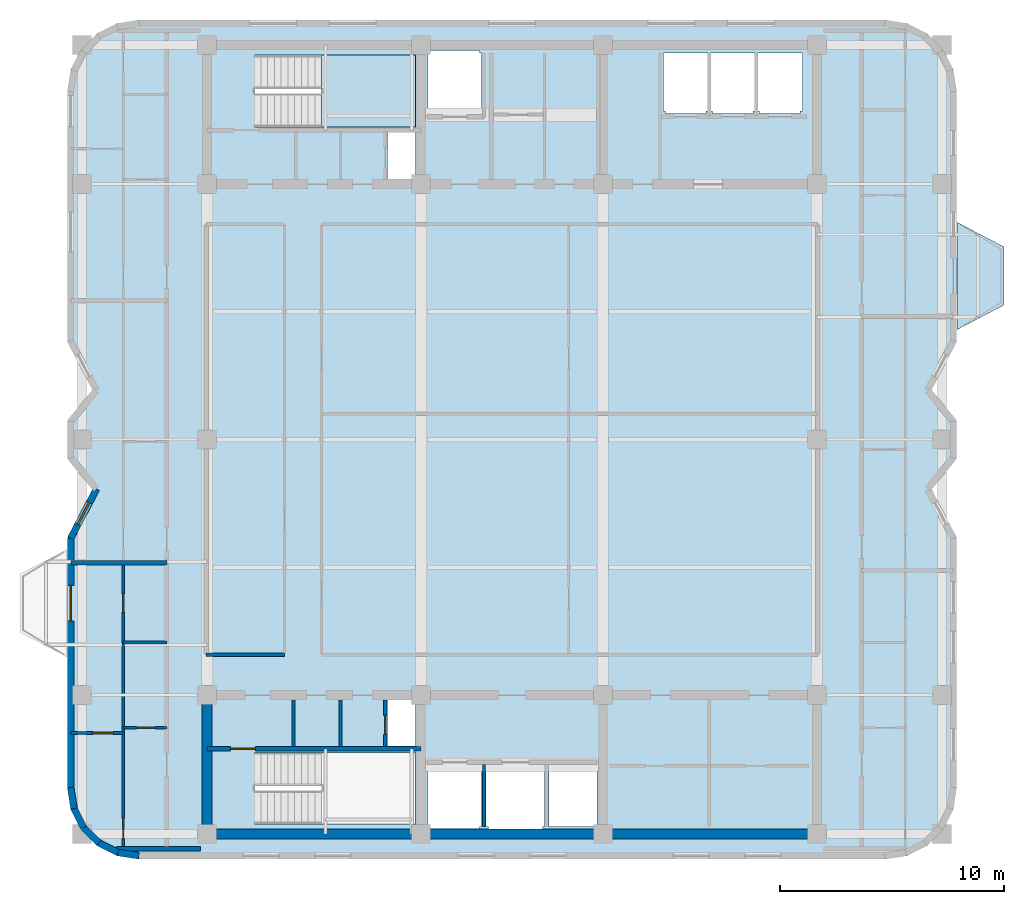
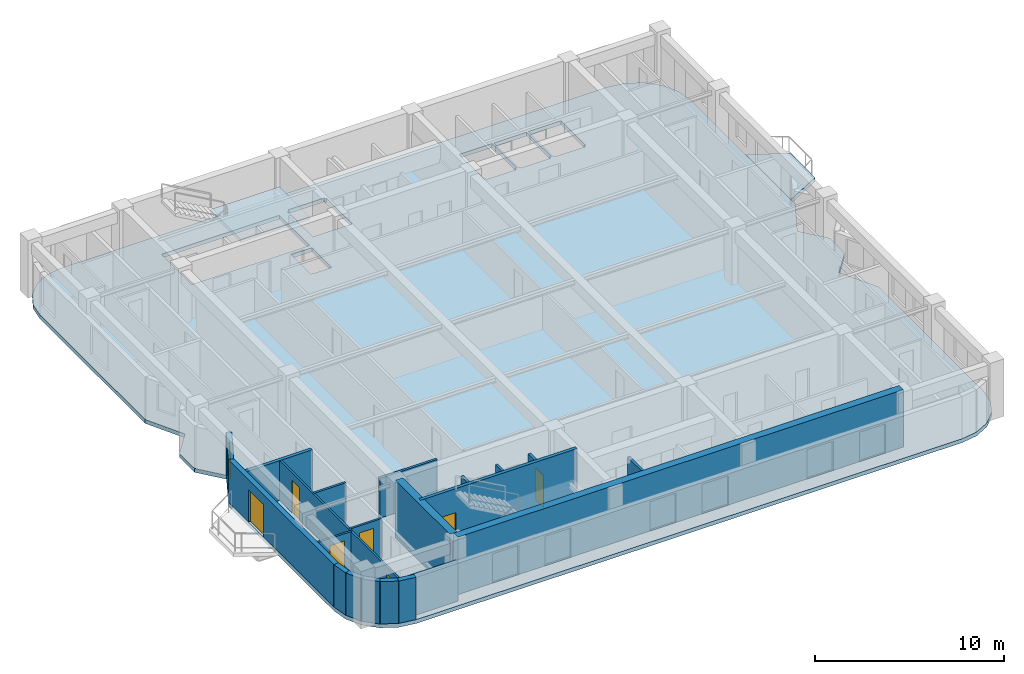
# One storey, part 2 of 9: 21 walls, 7 doors, 3 slabs, 1 window, 8 openings, 1 element without a shape of its own.
"""IFC4 building model written with IfcOpenShell, lengths in metres."""

from ifc_helpers import new_model, si_unit, direction, frame, frame_2d, origin, place, context, subcontext, project, spatial, polyline, rectangle, outline, extrude, material, layer, layer_set, type_object, element, fill, aggregate, save


model = new_model("IFC4")

# Units and contexts
model_context = context("Model", 3, precision=1e-05, world=origin(), true_north=direction((0.0, 1.0)))
body_context = subcontext(model_context, "Body", "Model", "MODEL_VIEW")
ifc_project = project(units=[si_unit("LENGTHUNIT", "METRE"), si_unit("AREAUNIT", "SQUARE_METRE"), si_unit("VOLUMEUNIT", "CUBIC_METRE"), si_unit("PLANEANGLEUNIT", "RADIAN"), si_unit("MASSUNIT", "GRAM", prefix="KILO")], contexts=[model_context])

# Site, building, storey
site_placement = place(None, origin())
site = spatial("IfcSite", under=ifc_project, at=site_placement, CompositionType="ELEMENT")
building_placement = place(site_placement, origin())
building = spatial("IfcBuilding", under=site, at=building_placement, Name="Svetorya Sky Lyceum", CompositionType="ELEMENT")
storey_placement = place(building_placement, frame((0.0, 0.0, 244.300048828125)))
storey = spatial("IfcBuildingStorey", under=building, at=storey_placement, Name="L61", CompositionType="ELEMENT", Elevation=244.300048828125)

# Slab
ifc_material_1 = material(Name="Concrete C40/50", Category="concrete")
ifc_layer_1 = layer(ifc_material_1, 0.25)
ifc_layer_set_1 = layer_set([ifc_layer_1], Name="Concrete C40/50")
slab_type_1 = type_object("IfcSlabType", Name="SL-BAL-250", PredefinedType="FLOOR", material=ifc_layer_set_1)
slab_1_placement = place(storey_placement, frame((0.0, 0.0, -0.25)))
element("IfcSlab", 1, at=slab_1_placement, inside=storey, type_object=slab_type_1, Name="L61 Chamfered Loggia Balcony BAL-E1", PredefinedType="FLOOR", context=body_context, shape_type="SweptSolid", body=[
    extrude(outline(polyline([(59.050048828125, 33.10009765625), (61.14990234375, 34.199951171875), (61.14990234375, 36.800048828125), (59.050048828125, 37.89990234375), (59.050048828125, 33.10009765625)])), origin(), (0.0, 0.0, 1.0), 0.25),
])

# Stair, slab
stair_type = type_object("IfcStairType", Name="STR-ST-N", PredefinedType="HALF_TURN_STAIR", material=ifc_material_1)
stair_placement = place(storey_placement, origin())
stair = element("IfcStair", 2, at=stair_placement, inside=storey, type_object=stair_type, Name="L61 North Core Smoke-Free Exit Stair N3", PredefinedType="HALF_TURN_STAIR")
ifc_layer_2 = layer(ifc_material_1, 0.199951171875)
ifc_layer_set_2 = layer_set([ifc_layer_2], Name="Concrete C40/50")
slab_type_2 = type_object("IfcSlabType", Name="SL-STR-LAND-200", PredefinedType="LANDING", material=ifc_layer_set_2)
slab_2_placement = place(storey_placement, frame((0.0, 0.0, 1.64990234375)))
slab_2 = element("IfcSlab", 3, at=slab_2_placement, type_object=slab_type_2, Name="ST-N landing 1", PredefinedType="LANDING", context=body_context, shape_type="SweptSolid", body=[
    extrude(outline(polyline([(30.699951171875, 42.14990234375), (34.89990234375, 42.14990234375), (34.89990234375, 45.35009765625), (30.699951171875, 45.35009765625), (30.699951171875, 42.14990234375)])), origin(), (0.0, 0.0, 1.0), 0.199951171875),
])
aggregate(stair, [slab_2])

# Slab
ifc_layer_3 = layer(ifc_material_1, 0.25)
ifc_layer_set_3 = layer_set([ifc_layer_3], Name="Concrete C40/50")
slab_type_3 = type_object("IfcSlabType", Name="SL-TWR-250", PredefinedType="FLOOR", material=ifc_layer_set_3)
slab_3_placement = place(storey_placement, frame((0.0, 0.0, -0.25)))
element("IfcSlab", 4, at=slab_3_placement, inside=storey, type_object=slab_type_3, Name="L61 Structural Floor Slab", PredefinedType="FLOOR", context=body_context, shape_type="SweptSolid", body=[
    extrude(outline(polyline([(19.360107421875, 12.679931640625), (19.5166015625, 11.691162109375), (19.97119140625, 10.799072265625), (20.67919921875, 10.091064453125), (21.571044921875, 9.63671875), (22.56005859375, 9.47998046875), (55.840087890625, 9.47998046875), (56.828857421875, 9.63671875), (57.720947265625, 10.091064453125), (58.428955078125, 10.799072265625), (58.88330078125, 11.691162109375), (59.0400390625, 12.679931640625), (59.0400390625, 23.800048828125), (57.889892578125, 26.0), (59.0400390625, 27.39990234375), (59.0400390625, 29.0), (57.889892578125, 30.39990234375), (59.0400390625, 32.60009765625), (59.0400390625, 43.719970703125), (58.88330078125, 44.708984375), (58.428955078125, 45.600830078125), (57.720947265625, 46.308837890625), (56.828857421875, 46.763427734375), (55.840087890625, 46.919921875), (22.56005859375, 46.919921875), (21.571044921875, 46.763427734375), (20.67919921875, 46.308837890625), (19.97119140625, 45.600830078125), (19.5166015625, 44.708984375), (19.360107421875, 43.719970703125), (19.360107421875, 32.60009765625), (20.510009765625, 30.39990234375), (19.360107421875, 29.0), (19.360107421875, 27.39990234375), (20.510009765625, 26.0), (19.360107421875, 23.800048828125), (19.360107421875, 12.679931640625)]), holes=[polyline([(37.85009765625, 10.949951171875), (37.75, 10.949951171875), (37.75, 10.85009765625), (35.550048828125, 10.85009765625), (35.550048828125, 10.949951171875), (35.449951171875, 10.949951171875), (35.449951171875, 13.64990234375), (35.550048828125, 13.64990234375), (37.75, 13.64990234375), (37.85009765625, 13.64990234375), (37.85009765625, 10.949951171875)]), polyline([(38.14990234375, 10.800048828125), (38.14990234375, 10.949951171875), (38.050048828125, 10.949951171875), (38.050048828125, 13.64990234375), (38.14990234375, 13.64990234375), (38.14990234375, 13.699951171875), (40.550048828125, 13.699951171875), (40.550048828125, 13.64990234375), (40.64990234375, 13.64990234375), (40.64990234375, 10.949951171875), (40.550048828125, 10.949951171875), (40.550048828125, 10.800048828125), (38.14990234375, 10.800048828125)]), polyline([(27.719970703125, 11.050048828125), (27.719970703125, 14.25), (34.89990234375, 14.25), (34.89990234375, 11.050048828125), (27.719970703125, 11.050048828125)]), polyline([(33.64990234375, 14.52001953125), (33.64990234375, 16.580078125), (34.89990234375, 16.580078125), (34.89990234375, 14.52001953125), (33.64990234375, 14.52001953125)]), polyline([(33.64990234375, 39.820068359375), (33.64990234375, 41.89990234375), (34.89990234375, 41.89990234375), (34.89990234375, 39.820068359375), (33.64990234375, 39.820068359375)]), polyline([(27.719970703125, 42.14990234375), (27.719970703125, 45.35009765625), (34.89990234375, 45.35009765625), (34.89990234375, 42.14990234375), (27.719970703125, 42.14990234375)]), polyline([(37.75, 42.75), (35.550048828125, 42.75), (35.449951171875, 42.75), (35.449951171875, 45.449951171875), (35.550048828125, 45.449951171875), (35.550048828125, 45.550048828125), (37.75, 45.550048828125), (37.75, 45.449951171875), (37.85009765625, 45.449951171875), (37.85009765625, 42.75), (37.75, 42.75)]), polyline([(40.85009765625, 10.949951171875), (40.85009765625, 13.64990234375), (43.0, 13.64990234375), (43.0, 10.949951171875), (40.85009765625, 10.949951171875)]), polyline([(46.050048828125, 42.75), (46.050048828125, 42.85009765625), (45.949951171875, 42.85009765625), (45.949951171875, 45.449951171875), (46.050048828125, 45.449951171875), (47.85009765625, 45.449951171875), (47.949951171875, 45.449951171875), (47.949951171875, 42.85009765625), (47.85009765625, 42.85009765625), (47.85009765625, 42.75), (46.050048828125, 42.75)]), polyline([(50.050048828125, 42.85009765625), (49.949951171875, 42.85009765625), (49.949951171875, 42.75), (48.14990234375, 42.75), (48.14990234375, 42.85009765625), (48.050048828125, 42.85009765625), (48.050048828125, 45.449951171875), (48.14990234375, 45.449951171875), (49.949951171875, 45.449951171875), (50.050048828125, 45.449951171875), (50.050048828125, 42.85009765625)]), polyline([(52.14990234375, 42.85009765625), (52.050048828125, 42.85009765625), (52.050048828125, 42.75), (50.25, 42.75), (50.25, 42.85009765625), (50.14990234375, 42.85009765625), (50.14990234375, 45.449951171875), (50.25, 45.449951171875), (52.050048828125, 45.449951171875), (52.14990234375, 45.449951171875), (52.14990234375, 42.85009765625)])]), origin(), (0.0, 0.0, 1.0), 0.25),
])

# Walls
ifc_material_2 = material(Name="Concrete C50/60", Category="concrete")
ifc_layer_4 = layer(ifc_material_2, 0.449951171875)
ifc_layer_set_4 = layer_set([ifc_layer_4], Name="Concrete C50/60")
wall_type_1 = type_object("IfcWallType", Name="WL-CORE-450", PredefinedType="SHEAR", material=ifc_layer_set_4)
wall_1_placement = place(storey_placement, frame((52.800048828125, 10.60009765625, 0.0), z_axis=(0.0, 0.0, 1.0), x_axis=(-1.0, 0.0, 0.0)))
element("IfcWall", 5, at=wall_1_placement, inside=storey, type_object=wall_type_1, Name="L61 SC Outer Core Shear Wall", PredefinedType="SHEAR", context=body_context, shape_type="SweptSolid", body=[
    extrude(rectangle(XDim=27.199951171875, YDim=0.449951171875, at=frame_2d((13.60009765625, 0.0))), origin(), (0.0, 0.0, 1.0), 3.699951171875),
])
wall_2_placement = place(storey_placement, frame((25.60009765625, 10.824951171875, 0.0), z_axis=(0.0, 0.0, 1.0), x_axis=(0.0, 1.0, 0.0)))
element("IfcWall", 6, at=wall_2_placement, inside=storey, type_object=wall_type_1, Name="L61 SC West Core Shear Wall", PredefinedType="SHEAR", context=body_context, shape_type="SweptSolid", body=[
    extrude(rectangle(XDim=5.75, YDim=0.449951171875, at=frame_2d((2.875, 0.0))), origin(), (0.0, 0.0, 1.0), 3.699951171875),
])
ifc_material_3 = material(Name="Putilovo limestone rainscreen on autoclaved cellular masonry", Category="masonry")
ifc_layer_5 = layer(ifc_material_3, 0.300048828125)
ifc_layer_set_5 = layer_set([ifc_layer_5], Name="Putilovo limestone rainscreen on autoclaved cellular masonry")
wall_type_2 = type_object("IfcWallType", Name="WL-EXT-300", PredefinedType="SOLIDWALL", material=ifc_layer_set_5)
wall_3_placement = place(storey_placement, frame((19.510009765625, 12.679931640625, 0.0), z_axis=(0.0, 0.0, 1.0), x_axis=(0.156343617883, -0.987702725088, 0.0)))
element("IfcWall", 7, at=wall_3_placement, inside=storey, type_object=wall_type_2, Name="L61 Limestone Exterior Wall 1M", PredefinedType="SOLIDWALL", context=body_context, shape_type="SweptSolid", body=[
    extrude(rectangle(XDim=0.9541015625, YDim=0.300048828125, at=frame_2d((0.47705078125, 0.0))), origin(), (0.0, 0.0, 1.0), 2.72998046875),
])
for number, where, z_axis, x_axis, name in (
    (8, (19.6591796875, 11.737548828125, 0.0), (0.0, 0.0, 1.0), (0.454056065666, -0.890973113642, 0.0), "L61 Limestone Exterior Wall 2M"),
    (9, (20.092529296875, 10.88720703125, 0.0), (0.0, 0.0, 1.0), (0.707106781187, -0.707106781187, 0.0), "L61 Limestone Exterior Wall 3M"),
):
    element("IfcWall", number, at=place(storey_placement, frame(where, z_axis=z_axis, x_axis=x_axis)), inside=storey, type_object=wall_type_2, Name=name, PredefinedType="SOLIDWALL", context=body_context, shape_type="SweptSolid", body=[
        extrude(rectangle(XDim=0.954345703125, YDim=0.300048828125, at=frame_2d((0.47705078125, 0.0))), origin(), (0.0, 0.0, 1.0), 2.72998046875),
    ])
wall_4_placement = place(storey_placement, frame((20.767333984375, 10.21240234375, 0.0), z_axis=(0.0, 0.0, 1.0), x_axis=(0.891023873617, -0.45395644796, 0.0)))
element("IfcWall", 10, at=wall_4_placement, inside=storey, type_object=wall_type_2, Name="L61 Limestone Exterior Wall 4M", PredefinedType="SOLIDWALL", context=body_context, shape_type="SweptSolid", body=[
    extrude(rectangle(XDim=0.9541015625, YDim=0.300048828125, at=frame_2d((0.47705078125, 0.0))), origin(), (0.0, 0.0, 1.0), 2.72998046875),
])
wall_5_placement = place(storey_placement, frame((21.617431640625, 9.779296875, 0.0), z_axis=(0.0, 0.0, 1.0), x_axis=(0.987669453596, -0.156553666304, 0.0)))
element("IfcWall", 11, at=wall_5_placement, inside=storey, type_object=wall_type_2, Name="L61 Limestone Exterior Wall 5M", PredefinedType="SOLIDWALL", context=body_context, shape_type="SweptSolid", body=[
    extrude(rectangle(XDim=0.954345703125, YDim=0.300048828125, at=frame_2d((0.47705078125, 0.0))), origin(), (0.0, 0.0, 1.0), 2.72998046875),
])

# Wall, opening, window
wall_6_placement = place(storey_placement, frame((20.659912109375, 26.0, 0.0), z_axis=(0.0, 0.0, 1.0), x_axis=(-0.46323138706, -0.886237373418, 0.0)))
wall_6 = element("IfcWall", 12, at=wall_6_placement, inside=storey, type_object=wall_type_2, Name="L61 Limestone Exterior Wall 35M", PredefinedType="SOLIDWALL", context=body_context, shape_type="SweptSolid", body=[
    extrude(rectangle(XDim=2.482421875, YDim=0.300048828125, at=frame_2d((1.2412109375, 0.0))), origin(), (0.0, 0.0, 1.0), 2.72998046875),
])
opening_1_placement = place(wall_6_placement, frame((0.691162109375, 0.0, 0.919921875)))
opening_1 = element("IfcOpeningElement", 13, at=opening_1_placement, cuts=wall_6, Name="Opening W-R3", PredefinedType="OPENING", context=body_context, shape_type="SweptSolid", body=[
    extrude(rectangle(XDim=1.10009765625, YDim=1.64990234375, at=frame_2d((0.550048828125, 0.824951171875))), frame((0.0, 0.159912109375, 0.0), z_axis=(0.0, -1.0, 0.0), x_axis=(1.0, 0.0, 0.0)), (0.0, 0.0, 1.0), 0.320068359375),
])
ifc_material_4 = material(Name="Thermally broken aluminium frame with triple low-E glazing", Category="aluminium")
window_type = type_object("IfcWindowType", Name="WN-RES-110", PartitioningType="SINGLE_PANEL", PredefinedType="WINDOW", material=ifc_material_4)
window_placement = place(opening_1_placement, origin())
window = element("IfcWindow", 14, at=window_placement, inside=storey, type_object=window_type, Name="L61 Facade Window W-R3.35M.1", OverallHeight=1.64990234375, OverallWidth=1.10009765625, PartitioningType="SINGLE_PANEL", PredefinedType="WINDOW", context=body_context, shape_type="SweptSolid", body=[
    extrude(rectangle(XDim=1.10009765625, YDim=1.64990234375, at=frame_2d((0.550048828125, 0.824951171875))), frame((0.0, 0.030029296875, 0.0), z_axis=(0.0, -1.0, 0.0), x_axis=(1.0, 0.0, 0.0)), (0.0, 0.0, 1.0), 0.06005859375),
])
fill(opening_1, window)

# Wall, opening, door
wall_7_placement = place(storey_placement, frame((19.510009765625, 23.800048828125, 0.0), z_axis=(0.0, 0.0, 1.0), x_axis=(0.0, -1.0, 0.0)))
wall_7 = element("IfcWall", 15, at=wall_7_placement, inside=storey, type_object=wall_type_2, Name="L61 Limestone Exterior Wall 36M", PredefinedType="SOLIDWALL", context=body_context, shape_type="SweptSolid", body=[
    extrude(rectangle(XDim=11.1201171875, YDim=0.300048828125, at=frame_2d((5.56005859375, 0.0))), origin(), (0.0, 0.0, 1.0), 2.72998046875),
])
opening_2_placement = place(wall_7_placement, frame((2.10009765625, 0.0, 0.0)))
opening_2 = element("IfcOpeningElement", 16, at=opening_2_placement, cuts=wall_7, Name="Opening D-BL1", PredefinedType="OPENING", context=body_context, shape_type="SweptSolid", body=[
    extrude(rectangle(XDim=1.60009765625, YDim=2.10009765625, at=frame_2d((0.800048828125, 1.050048828125))), frame((0.0, 0.159912109375, 0.0), z_axis=(0.0, -1.0, 0.0), x_axis=(1.0, 0.0, 0.0)), (0.0, 0.0, 1.0), 0.320068359375),
])
ifc_material_5 = material(Name="Insulated glazed aluminium balcony door", Category="aluminium")
door_type_1 = type_object("IfcDoorType", Name="DR-BAL-1600", OperationType="DOUBLE_DOOR_SINGLE_SWING", PredefinedType="DOOR", material=ifc_material_5)
door_1_placement = place(opening_2_placement, origin())
door_1 = element("IfcDoor", 17, at=door_1_placement, inside=storey, type_object=door_type_1, Name="L61 Balcony BAL-W1 Door", OperationType="DOUBLE_DOOR_SINGLE_SWING", OverallHeight=2.10009765625, OverallWidth=1.60009765625, PredefinedType="DOOR", context=body_context, shape_type="SweptSolid", body=[
    extrude(rectangle(XDim=1.60009765625, YDim=2.10009765625, at=frame_2d((0.800048828125, 1.050048828125))), frame((0.0, 0.02490234375, 0.0), z_axis=(0.0, -1.0, 0.0), x_axis=(1.0, 0.0, 0.0)), (0.0, 0.0, 1.0), 0.050048828125),
])
fill(opening_2, door_1)

ifc_material_6 = material(Name="Twin-stud galvanized framing with double fireboard", Category="gypsum")
ifc_layer_6 = layer(ifc_material_6, 0.1201171875)
ifc_layer_set_6 = layer_set([ifc_layer_6], Name="Twin-stud galvanized framing with double fireboard")
wall_type_3 = type_object("IfcWallType", Name="WL-PART-120", PredefinedType="PARTITIONING", material=ifc_layer_set_6)
wall_8_placement = place(storey_placement, frame((21.85009765625, 15.35009765625, 0.0), z_axis=(0.0, 0.0, 1.0), x_axis=(1.0, 0.0, 0.0)))
wall_8 = element("IfcWall", 18, at=wall_8_placement, inside=storey, type_object=wall_type_3, Name="L61 Interior Partition W1-WH1", PredefinedType="PARTITIONING", context=body_context, shape_type="SweptSolid", body=[
    extrude(rectangle(XDim=1.949951171875, YDim=0.1201171875, at=frame_2d((0.97509765625, 0.0))), origin(), (0.0, 0.0, 1.0), 2.56005859375),
])
opening_3_placement = place(wall_8_placement, frame((0.60009765625, 0.0, 0.0)))
opening_3 = element("IfcOpeningElement", 19, at=opening_3_placement, cuts=wall_8, Name="Opening D-BT1", PredefinedType="OPENING", context=body_context, shape_type="SweptSolid", body=[
    extrude(rectangle(XDim=0.85009765625, YDim=2.10009765625, at=frame_2d((0.425048828125, 1.050048828125))), frame((0.0, 0.070068359375, 0.0), z_axis=(0.0, -1.0, 0.0), x_axis=(1.0, 0.0, 0.0)), (0.0, 0.0, 1.0), 0.14013671875),
])
ifc_material_7 = material(Name="Moisture-resistant laminate bathroom door")
door_type_2 = type_object("IfcDoorType", Name="DR-WET-850", OperationType="SINGLE_SWING_LEFT", PredefinedType="DOOR", material=ifc_material_7)
door_2_placement = place(opening_3_placement, origin())
door_2 = element("IfcDoor", 20, at=door_2_placement, inside=storey, type_object=door_type_2, Name="Apartment W1 Bathroom Door", OperationType="SINGLE_SWING_LEFT", OverallHeight=2.10009765625, OverallWidth=0.85009765625, PredefinedType="DOOR", context=body_context, shape_type="SweptSolid", body=[
    extrude(rectangle(XDim=0.85009765625, YDim=2.10009765625, at=frame_2d((0.425048828125, 1.050048828125))), frame((0.0, 0.02490234375, 0.0), z_axis=(0.0, -1.0, 0.0), x_axis=(1.0, 0.0, 0.0)), (0.0, 0.0, 1.0), 0.050048828125),
])
fill(opening_3, door_2)

wall_9_placement = place(storey_placement, frame((19.530029296875, 15.110107421875, 0.0), z_axis=(0.0, 0.0, 1.0), x_axis=(1.0, 0.0, 0.0)))
wall_9 = element("IfcWall", 21, at=wall_9_placement, inside=storey, type_object=wall_type_3, Name="L61 Interior Partition W1-WL1", PredefinedType="PARTITIONING", context=body_context, shape_type="SweptSolid", body=[
    extrude(rectangle(XDim=2.320068359375, YDim=0.1201171875, at=frame_2d((1.16015625, 0.0))), origin(), (0.0, 0.0, 1.0), 2.56005859375),
])
opening_4_placement = place(wall_9_placement, frame((0.969970703125, 0.0, 0.0)))
opening_4 = element("IfcOpeningElement", 22, at=opening_4_placement, cuts=wall_9, Name="Opening D-RM1", PredefinedType="OPENING", context=body_context, shape_type="SweptSolid", body=[
    extrude(rectangle(XDim=0.89990234375, YDim=2.10009765625, at=frame_2d((0.449951171875, 1.050048828125))), frame((0.0, 0.070068359375, 0.0), z_axis=(0.0, -1.0, 0.0), x_axis=(1.0, 0.0, 0.0)), (0.0, 0.0, 1.0), 0.14013671875),
])
ifc_material_8 = material(Name="Lacquered birch veneer internal door")
door_type_3 = type_object("IfcDoorType", Name="DR-INT-900", OperationType="SINGLE_SWING_LEFT", PredefinedType="DOOR", material=ifc_material_8)
door_3_placement = place(opening_4_placement, origin())
door_3 = element("IfcDoor", 23, at=door_3_placement, inside=storey, type_object=door_type_3, Name="Apartment W1 Bedroom 1 Door", OperationType="SINGLE_SWING_LEFT", OverallHeight=2.10009765625, OverallWidth=0.89990234375, PredefinedType="DOOR", context=body_context, shape_type="SweptSolid", body=[
    extrude(rectangle(XDim=0.89990234375, YDim=2.10009765625, at=frame_2d((0.449951171875, 1.050048828125))), frame((0.0, 0.02490234375, 0.0), z_axis=(0.0, -1.0, 0.0), x_axis=(1.0, 0.0, 0.0)), (0.0, 0.0, 1.0), 0.050048828125),
])
fill(opening_4, door_3)

# Wall, openings, doors
wall_10_placement = place(storey_placement, frame((21.85009765625, 9.989990234375, 0.0), z_axis=(0.0, 0.0, 1.0), x_axis=(0.0, 1.0, 0.0)))
wall_10 = element("IfcWall", 24, at=wall_10_placement, inside=storey, type_object=wall_type_3, Name="L61 Interior Partition W1-WV", PredefinedType="PARTITIONING", context=body_context, shape_type="SweptSolid", body=[
    extrude(rectangle(XDim=12.669921875, YDim=0.1201171875, at=frame_2d((6.3349609375, 0.0))), origin(), (0.0, 0.0, 1.0), 2.56005859375),
])
opening_5_placement = place(wall_10_placement, frame((0.409912109375, 0.0, 0.0)))
opening_5 = element("IfcOpeningElement", 25, at=opening_5_placement, cuts=wall_10, Name="Opening D-RM1", PredefinedType="OPENING", context=body_context, shape_type="SweptSolid", body=[
    extrude(rectangle(XDim=0.89990234375, YDim=2.10009765625, at=frame_2d((0.449951171875, 1.050048828125))), frame((0.0, 0.070068359375, 0.0), z_axis=(0.0, -1.0, 0.0), x_axis=(1.0, 0.0, 0.0)), (0.0, 0.0, 1.0), 0.14013671875),
])
opening_6_placement = place(wall_10_placement, frame((10.510009765625, 0.0, 0.0)))
opening_6 = element("IfcOpeningElement", 26, at=opening_6_placement, cuts=wall_10, Name="Opening D-BT2", PredefinedType="OPENING", context=body_context, shape_type="SweptSolid", body=[
    extrude(rectangle(XDim=0.820068359375, YDim=2.080078125, at=frame_2d((0.41015625, 1.0400390625))), frame((0.0, 0.070068359375, 0.0), z_axis=(0.0, -1.0, 0.0), x_axis=(1.0, 0.0, 0.0)), (0.0, 0.0, 1.0), 0.14013671875),
])
door_4_placement = place(opening_5_placement, origin())
door_4 = element("IfcDoor", 27, at=door_4_placement, inside=storey, type_object=door_type_3, Name="Apartment W1 Living Door", OperationType="SINGLE_SWING_RIGHT", OverallHeight=2.10009765625, OverallWidth=0.89990234375, PredefinedType="DOOR", context=body_context, shape_type="SweptSolid", body=[
    extrude(rectangle(XDim=0.89990234375, YDim=2.10009765625, at=frame_2d((0.449951171875, 1.050048828125))), frame((0.0, 0.02490234375, 0.0), z_axis=(0.0, -1.0, 0.0), x_axis=(1.0, 0.0, 0.0)), (0.0, 0.0, 1.0), 0.050048828125),
])
fill(opening_5, door_4)
ifc_material_9 = material(Name="Compact moisture-resistant laminate closet door")
door_type_4 = type_object("IfcDoorType", Name="DR-WET-820", OperationType="SINGLE_SWING_LEFT", PredefinedType="DOOR", material=ifc_material_9)
door_5_placement = place(opening_6_placement, origin())
door_5 = element("IfcDoor", 28, at=door_5_placement, inside=storey, type_object=door_type_4, Name="Apartment W1 Study Door", OperationType="SINGLE_SWING_LEFT", OverallHeight=2.080078125, OverallWidth=0.820068359375, PredefinedType="DOOR", context=body_context, shape_type="SweptSolid", body=[
    extrude(rectangle(XDim=0.820068359375, YDim=2.080078125, at=frame_2d((0.41015625, 1.0400390625))), frame((0.0, 0.02490234375, 0.0), z_axis=(0.0, -1.0, 0.0), x_axis=(1.0, 0.0, 0.0)), (0.0, 0.0, 1.0), 0.050048828125),
])
fill(opening_6, door_5)

# Walls
ifc_material_10 = material(Name="Twin-stud galvanized framing with acoustic board", Category="gypsum")
ifc_layer_7 = layer(ifc_material_10, 0.135009765625)
ifc_layer_set_7 = layer_set([ifc_layer_7], Name="Twin-stud galvanized framing with acoustic board")
wall_type_4 = type_object("IfcWallType", Name="WL-PART-135", PredefinedType="PARTITIONING", material=ifc_layer_set_7)
wall_11_placement = place(storey_placement, frame((21.85009765625, 19.14990234375, 0.0), z_axis=(0.0, 0.0, 1.0), x_axis=(1.0, 0.0, 0.0)))
element("IfcWall", 29, at=wall_11_placement, inside=storey, type_object=wall_type_4, Name="L61 Interior Partition W1-WH2", PredefinedType="PARTITIONING", context=body_context, shape_type="SweptSolid", body=[
    extrude(rectangle(XDim=1.949951171875, YDim=0.135009765625, at=frame_2d((0.97509765625, 0.0))), origin(), (0.0, 0.0, 1.0), 2.56005859375),
])
ifc_material_11 = material(Name="Autoclaved cellular masonry blockwork with acoustic render", Category="masonry")
ifc_layer_8 = layer(ifc_material_11, 0.14990234375)
ifc_layer_set_8 = layer_set([ifc_layer_8], Name="Autoclaved cellular masonry blockwork with acoustic render")
wall_type_5 = type_object("IfcWallType", Name="WL-PART-150", PredefinedType="PARTITIONING", material=ifc_layer_set_8)
for number, where, z_axis, x_axis, name in (
    (30, (29.449951171875, 14.5, 0.0), (0.0, 0.0, 1.0), (0.0, 1.0, 0.0), "L61 Interior Partition SC-SWD1"),
    (31, (31.550048828125, 14.5, 0.0), (0.0, 0.0, 1.0), (0.0, 1.0, 0.0), "L61 Interior Partition SC-SWD2"),
):
    element("IfcWall", number, at=place(storey_placement, frame(where, z_axis=z_axis, x_axis=x_axis)), inside=storey, type_object=wall_type_5, Name=name, PredefinedType="PARTITIONING", context=body_context, shape_type="SweptSolid", body=[
        extrude(rectangle(XDim=2.080078125, YDim=0.14990234375, at=frame_2d((1.0400390625, 0.0))), origin(), (0.0, 0.0, 1.0), 2.56005859375),
    ])

# Wall, opening, door
wall_12_placement = place(storey_placement, frame((33.550048828125, 14.5, 0.0), z_axis=(0.0, 0.0, 1.0), x_axis=(0.0, 1.0, 0.0)))
wall_12 = element("IfcWall", 32, at=wall_12_placement, inside=storey, type_object=wall_type_5, Name="L61 Interior Partition SC-SWD3", PredefinedType="PARTITIONING", context=body_context, shape_type="SweptSolid", body=[
    extrude(rectangle(XDim=2.080078125, YDim=0.14990234375, at=frame_2d((1.0400390625, 0.0))), origin(), (0.0, 0.0, 1.0), 2.56005859375),
])
opening_7_placement = place(wall_12_placement, frame((0.550048828125, 0.0, 0.0)))
opening_7 = element("IfcOpeningElement", 33, at=opening_7_placement, cuts=wall_12, Name="Opening D-SH1", PredefinedType="OPENING", context=body_context, shape_type="SweptSolid", body=[
    extrude(rectangle(XDim=0.85009765625, YDim=2.050048828125, at=frame_2d((0.425048828125, 1.02490234375))), frame((0.0, 0.0849609375, 0.0), z_axis=(0.0, -1.0, 0.0), x_axis=(1.0, 0.0, 0.0)), (0.0, 0.0, 1.0), 0.169921875),
])
ifc_material_12 = material(Name="Insulated galvanized riser inspection fire door")
door_type_5 = type_object("IfcDoorType", Name="DR-SHFT-850", OperationType="SINGLE_SWING_LEFT", PredefinedType="TRAPDOOR", material=ifc_material_12)
door_6_placement = place(opening_7_placement, origin())
door_6 = element("IfcDoor", 34, at=door_6_placement, inside=storey, type_object=door_type_5, Name="L61 South Riser Access Door", OperationType="SINGLE_SWING_RIGHT", OverallHeight=2.050048828125, OverallWidth=0.85009765625, PredefinedType="TRAPDOOR", context=body_context, shape_type="SweptSolid", body=[
    extrude(rectangle(XDim=0.85009765625, YDim=2.050048828125, at=frame_2d((0.425048828125, 1.02490234375))), frame((0.0, 0.02490234375, 0.0), z_axis=(0.0, -1.0, 0.0), x_axis=(1.0, 0.0, 0.0)), (0.0, 0.0, 1.0), 0.050048828125),
])
fill(opening_7, door_6)

# Walls
wall_13_placement = place(storey_placement, frame((37.949951171875, 10.949951171875, 0.0), z_axis=(0.0, 0.0, 1.0), x_axis=(0.0, 1.0, 0.0)))
element("IfcWall", 35, at=wall_13_placement, inside=storey, type_object=wall_type_5, Name="L61 Interior Partition SC-SHD1", PredefinedType="PARTITIONING", context=body_context, shape_type="SweptSolid", body=[
    extrude(rectangle(XDim=2.75, YDim=0.14990234375, at=frame_2d((1.375, 0.0))), origin(), (0.0, 0.0, 1.0), 2.56005859375),
])
wall_14_placement = place(storey_placement, frame((25.550048828125, 18.60009765625, 0.0), z_axis=(0.0, 0.0, 1.0), x_axis=(1.0, 0.0, 0.0)))
element("IfcWall", 36, at=wall_14_placement, inside=storey, type_object=wall_type_5, Name="L61 Interior Partition OFF-CS-W", PredefinedType="PARTITIONING", context=body_context, shape_type="SweptSolid", body=[
    extrude(rectangle(XDim=3.5, YDim=0.14990234375, at=frame_2d((1.75, 0.0))), origin(), (0.0, 0.0, 1.0), 2.56005859375),
])
ifc_material_13 = material(Name="Autoclaved cellular masonry blockwork with gypsum plaster", Category="masonry")
ifc_layer_9 = layer(ifc_material_13, 0.199951171875)
ifc_layer_set_9 = layer_set([ifc_layer_9], Name="Autoclaved cellular masonry blockwork with gypsum plaster")
wall_type_6 = type_object("IfcWallType", Name="WL-PART-200", PredefinedType="PARTITIONING", material=ifc_layer_set_9)
wall_15_placement = place(storey_placement, frame((19.530029296875, 22.699951171875, 0.0), z_axis=(0.0, 0.0, 1.0), x_axis=(1.0, 0.0, 0.0)))
element("IfcWall", 37, at=wall_15_placement, inside=storey, type_object=wall_type_6, Name="L61 Interior Partition W-PARTY-1", PredefinedType="PARTITIONING", context=body_context, shape_type="SweptSolid", body=[
    extrude(rectangle(XDim=4.27001953125, YDim=0.199951171875, at=frame_2d((2.135009765625, 0.0))), origin(), (0.0, 0.0, 1.0), 2.56005859375),
])
wall_16_placement = place(storey_placement, frame((21.5458984375, 9.949951171875, 0.0), z_axis=(0.0, 0.0, 1.0), x_axis=(1.0, 0.0, 0.0)))
element("IfcWall", 38, at=wall_16_placement, inside=storey, type_object=wall_type_6, Name="L61 Interior Partition W-CAP-S", PredefinedType="PARTITIONING", context=body_context, shape_type="SweptSolid", body=[
    extrude(rectangle(XDim=3.754150390625, YDim=0.199951171875, at=frame_2d((1.876953125, 0.0))), origin(), (0.0, 0.0, 1.0), 2.56005859375),
])

# Wall, opening, door
ifc_layer_10 = layer(ifc_material_2, 0.199951171875)
ifc_layer_set_10 = layer_set([ifc_layer_10], Name="Concrete C50/60")
wall_type_7 = type_object("IfcWallType", Name="WL-SHW-200", PredefinedType="SHEAR", material=ifc_layer_set_10)
wall_17_placement = place(storey_placement, frame((25.60009765625, 14.39990234375, 0.0), z_axis=(0.0, 0.0, 1.0), x_axis=(1.0, 0.0, 0.0)))
wall_17 = element("IfcWall", 39, at=wall_17_placement, inside=storey, type_object=wall_type_7, Name="L61 Structural Stair Shaft Wall SC-STW", PredefinedType="SHEAR", context=body_context, shape_type="SweptSolid", body=[
    extrude(rectangle(XDim=9.5498046875, YDim=0.199951171875, at=frame_2d((4.77490234375, 0.0))), origin(), (0.0, 0.0, 1.0), 3.699951171875),
])
opening_8_placement = place(wall_17_placement, frame((1.050048828125, 0.0, 0.0)))
opening_8 = element("IfcOpeningElement", 40, at=opening_8_placement, cuts=wall_17, Name="Opening D-ST1", PredefinedType="OPENING", context=body_context, shape_type="SweptSolid", body=[
    extrude(rectangle(XDim=1.10009765625, YDim=2.14990234375, at=frame_2d((0.550048828125, 1.074951171875))), frame((0.0, 0.10986328125, 0.0), z_axis=(0.0, -1.0, 0.0), x_axis=(1.0, 0.0, 0.0)), (0.0, 0.0, 1.0), 0.219970703125),
])
ifc_material_14 = material(Name="Powder-coated insulated galvanized stair fire door")
door_type_6 = type_object("IfcDoorType", Name="DR-FIRE-1100", OperationType="SINGLE_SWING_LEFT", PredefinedType="DOOR", material=ifc_material_14)
door_7_placement = place(opening_8_placement, origin())
door_7 = element("IfcDoor", 41, at=door_7_placement, inside=storey, type_object=door_type_6, Name="L61 Stair ST-S Vestibule Fire Door", OperationType="SINGLE_SWING_LEFT", OverallHeight=2.14990234375, OverallWidth=1.10009765625, PredefinedType="DOOR", context=body_context, shape_type="SweptSolid", body=[
    extrude(rectangle(XDim=1.10009765625, YDim=2.14990234375, at=frame_2d((0.550048828125, 1.074951171875))), frame((0.0, 0.02490234375, 0.0), z_axis=(0.0, -1.0, 0.0), x_axis=(1.0, 0.0, 0.0)), (0.0, 0.0, 1.0), 0.050048828125),
])
fill(opening_8, door_7)

save(model, "model.ifc")
